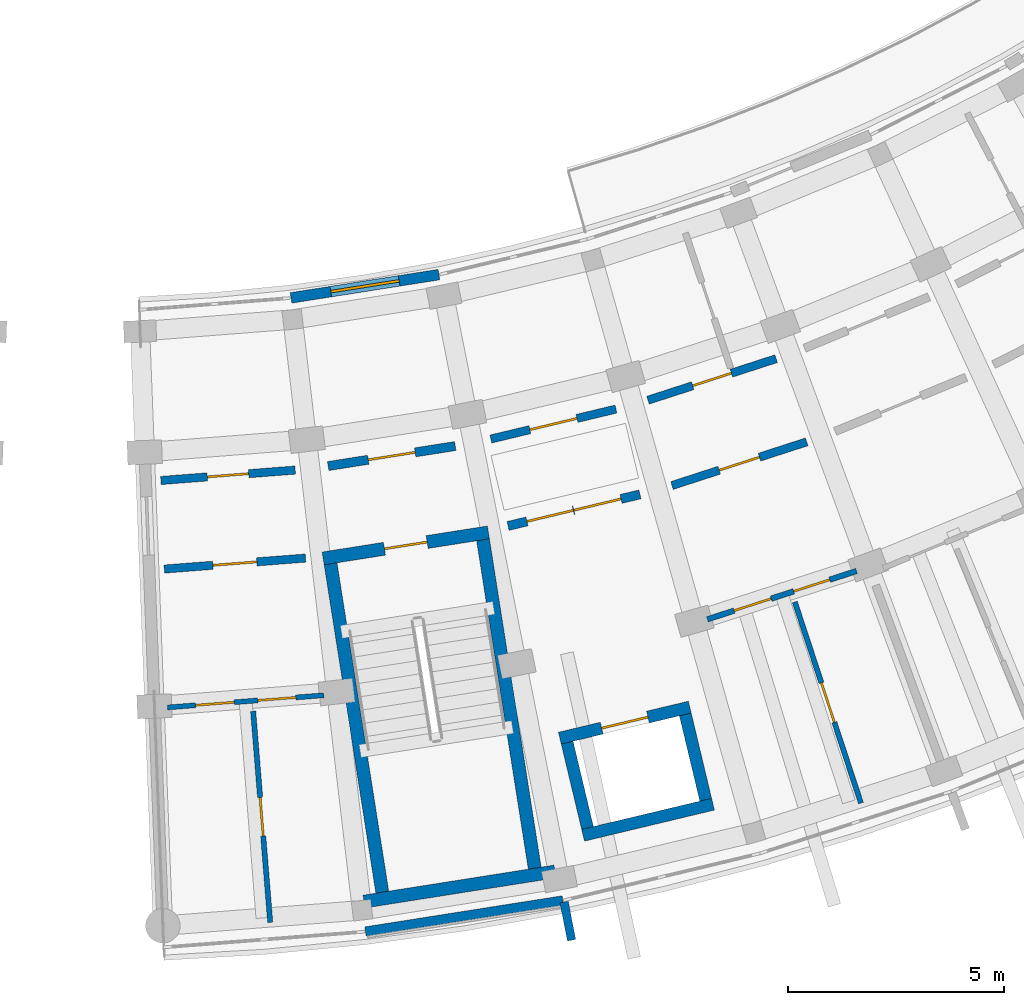
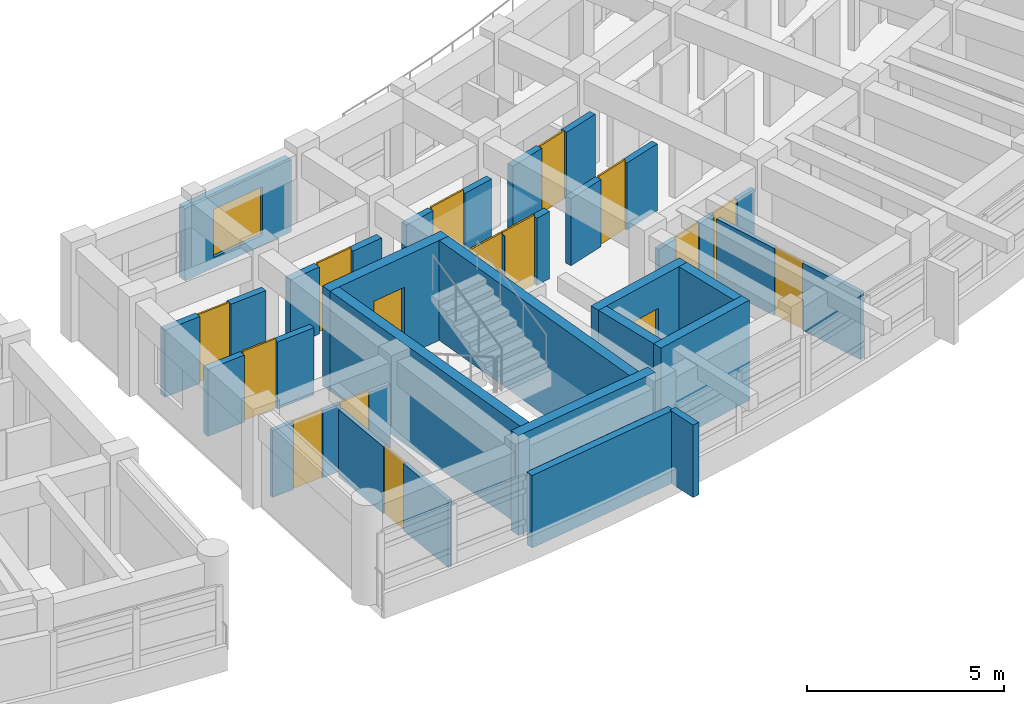
# One storey, part 37 of 56: 22 walls, 16 doors, 1 window, 17 openings.
"""IFC4 building model written with IfcOpenShell, lengths in metres."""

import ifcopenshell
import ifcopenshell.guid

model = None  # the IFC model being written
_history = None  # IfcOwnerHistory: only IFC2X3 demands one
_inside = {}  # id of a spatial element -> (the spatial element, [elements in it])
_under = {}  # id of a project, library or spatial element -> (it, [spatial elements below it])
_declared = {}  # id of a project -> (the project, [libraries it declares])
_typed = {}  # id of a type object -> (the type object, [elements of that type])
_made_of = {}  # id of a material, layer set ... -> (it, [elements and type objects made of it])


def new_model(schema):
    """Start an empty IFC model of exactly this schema.

    Asked for "IFC4X3", IfcOpenShell would pick the latest addendum, in which some entities
    have other attributes; the version numbers below select the first issue.
    IFC2X3 requires an IfcOwnerHistory on every rooted entity: one is made here for all.
    """
    global model, _history
    if schema == "IFC4X3":
        model = ifcopenshell.file(schema_version=(4, 3, 0, 0))
    else:
        model = ifcopenshell.file(schema=schema)
    _inside.clear()
    _under.clear()
    _declared.clear()
    _typed.clear()
    _made_of.clear()
    _history = None
    if model.schema == "IFC2X3":
        org = make("IfcOrganization", Name="unknown")
        user = make(
            "IfcPersonAndOrganization",
            ThePerson=make("IfcPerson", FamilyName="unknown"),
            TheOrganization=org,
        )
        app = make(
            "IfcApplication",
            ApplicationDeveloper=org,
            Version="unknown",
            ApplicationFullName="unknown",
            ApplicationIdentifier="unknown",
        )
        _history = make(
            "IfcOwnerHistory",
            OwningUser=user,
            OwningApplication=app,
            ChangeAction="ADDED",
            CreationDate=0,
        )
    return model


def make(cls, **values):
    """One entity of the class cls with the attributes given. An attribute that is None is left unset."""
    return model.create_entity(
        cls, **{name: value for name, value in values.items() if value is not None}
    )


def rooted(cls, **values):
    """An entity with a GlobalId (a new one), such as an element, a storey or a relation."""
    return make(cls, GlobalId=ifcopenshell.guid.new(), OwnerHistory=_history, **values)


def si_unit(unit_type, name, prefix=None):
    """IfcSIUnit, for example si_unit("LENGTHUNIT", "METRE", prefix="MILLI")."""
    return make("IfcSIUnit", UnitType=unit_type, Prefix=prefix, Name=name)


def assignment(units):
    """IfcUnitAssignment: the units of a project."""
    return None if units is None else make("IfcUnitAssignment", Units=units)


def point(xyz):
    """IfcCartesianPoint."""
    return None if xyz is None else make("IfcCartesianPoint", Coordinates=xyz)


def direction(xyz):
    """IfcDirection."""
    return None if xyz is None else make("IfcDirection", DirectionRatios=xyz)


def frame(location, z_axis=None, x_axis=None):
    """IfcAxis2Placement3D, a coordinate frame: its origin and axes. An axis left out is left unset."""
    return make(
        "IfcAxis2Placement3D",
        Location=point(location),
        Axis=direction(z_axis),
        RefDirection=direction(x_axis),
    )


def frame_2d(location, x_axis=None):
    """IfcAxis2Placement2D, a coordinate frame in the plane: its origin and x axis."""
    return make(
        "IfcAxis2Placement2D", Location=point(location), RefDirection=direction(x_axis)
    )


def origin():
    """The frame at (0, 0, 0) with its axes left unset."""
    return frame((0.0, 0.0, 0.0))


def place(relative_to, where):
    """IfcLocalPlacement: puts the frame where relative to a parent placement (None: the world)."""
    return make(
        "IfcLocalPlacement", PlacementRelTo=relative_to, RelativePlacement=where
    )


def context(
    kind, dimensions, precision=None, world=None, true_north=None, identifier=None
):
    """IfcGeometricRepresentationContext, for example the 3D "Model" context."""
    return make(
        "IfcGeometricRepresentationContext",
        ContextIdentifier=identifier,
        ContextType=kind,
        CoordinateSpaceDimension=dimensions,
        Precision=precision,
        WorldCoordinateSystem=world,
        TrueNorth=true_north,
    )


def subcontext(parent, identifier, kind, view, scale=None):
    """IfcGeometricRepresentationSubContext, for example "Body" below "Model"."""
    return make(
        "IfcGeometricRepresentationSubContext",
        ContextIdentifier=identifier,
        ContextType=kind,
        ParentContext=parent,
        TargetScale=scale,
        TargetView=view,
    )


def project(units=None, contexts=None):
    """IfcProject with its units and contexts."""
    return rooted(
        "IfcProject",
        Name="project",
        RepresentationContexts=contexts,
        UnitsInContext=assignment(units),
    )


def spatial(cls, under=None, at=None, **own):
    """A site, building, storey or space (cls), placed at a placement, below another one or the project."""
    s = rooted(cls, ObjectPlacement=at, **own)
    if under is not None:
        _under.setdefault(under.id(), (under, []))[1].append(s)
    return s


def profile(cls, at=None, kind="AREA", **sizes):
    """A parametric profile (cls). Its sizes go by their IFC names, for example OverallWidth=200.0."""
    return make(cls, ProfileType=kind, Position=at, **sizes)


def rectangle(**sizes):
    """IfcRectangleProfileDef."""
    return profile("IfcRectangleProfileDef", **sizes)


def extrude(swept, where, along, depth):
    """IfcExtrudedAreaSolid: the profile swept, set in the frame where, extruded along a direction by depth."""
    return make(
        "IfcExtrudedAreaSolid",
        SweptArea=swept,
        Position=where,
        ExtrudedDirection=direction(along),
        Depth=depth,
    )


def shape(context_of_items, identifier, shape_type, items):
    """IfcShapeRepresentation: the items that make up one representation, for example the "Body"."""
    return make(
        "IfcShapeRepresentation",
        ContextOfItems=context_of_items,
        RepresentationIdentifier=identifier,
        RepresentationType=shape_type,
        Items=items,
    )


def material(Name=None, Category=None):
    """IfcMaterial."""
    return make("IfcMaterial", Name=Name, Category=Category)


def layer(
    of_material, thickness, ventilated=None, Name=None, Category=None, Priority=None
):
    """IfcMaterialLayer: one layer of a wall or slab, of a material (None: an air gap)."""
    return make(
        "IfcMaterialLayer",
        Material=of_material,
        LayerThickness=thickness,
        IsVentilated=ventilated,
        Name=Name,
        Category=Category,
        Priority=Priority,
    )


def layer_set(layers, Name=None):
    """IfcMaterialLayerSet."""
    return make("IfcMaterialLayerSet", MaterialLayers=layers, LayerSetName=Name)


def made_of(thing, what):
    """Note that an element or type object is made of a material, layer set ...; save() writes the relation."""
    if what is not None:
        _made_of.setdefault(what.id(), (what, []))[1].append(thing)
    return thing


def type_object(cls, material=None, **own):
    """A type object (cls), such as IfcWallType, which elements share."""
    return made_of(rooted(cls, **own), material)


def element(
    cls,
    number,
    at=None,
    inside=None,
    cuts=None,
    type_object=None,
    material=None,
    context=None,
    identifier="Body",
    shape_type=None,
    held_by="IfcProductDefinitionShape",
    body=None,
    shapes=None,
    **own,
):
    """One element of the class cls, such as IfcWall. Its Tag is "e" and its number.

    at: its placement. inside: the storey or other place that contains it. cuts: it is an
    opening in that element (IfcRelVoidsElement). A single representation is given by context,
    identifier, shape_type and body (its items); several are given by shapes. held_by: the class
    of the entity that holds the representations. save() writes the other relations.
    """
    e = rooted(cls, Tag="e%d" % number, ObjectPlacement=at, **own)
    if body is not None:
        shapes = [shape(context, identifier, shape_type, body)]
    if shapes is not None:
        e.Representation = make(held_by, Representations=shapes)
    if inside is not None:
        _inside.setdefault(inside.id(), (inside, []))[1].append(e)
    if cuts is not None:
        rooted(
            "IfcRelVoidsElement", RelatingBuildingElement=cuts, RelatedOpeningElement=e
        )
    if type_object is not None:
        _typed.setdefault(type_object.id(), (type_object, []))[1].append(e)
    return made_of(e, material)


def fill(opening, filler):
    """IfcRelFillsElement: the door or window that sits in an opening."""
    return rooted(
        "IfcRelFillsElement",
        RelatingOpeningElement=opening,
        RelatedBuildingElement=filler,
    )


def aggregate(whole, parts):
    """IfcRelAggregates: a whole, such as a stair, and the parts it consists of."""
    return rooted("IfcRelAggregates", RelatingObject=whole, RelatedObjects=parts)


def save(model, path):
    """Write the relations noted so far, then the file.

    IfcRelAggregates (storeys below a building ...), IfcRelContainedInSpatialStructure (elements
    in a storey), IfcRelDefinesByType, IfcRelAssociatesMaterial and IfcRelDeclares: one each for
    every whole, place, type object, material and project.
    """
    for whole, parts in _under.values():
        aggregate(whole, parts)
    for where, things in _inside.values():
        rooted(
            "IfcRelContainedInSpatialStructure",
            RelatedElements=things,
            RelatingStructure=where,
        )
    for kind, things in _typed.values():
        rooted("IfcRelDefinesByType", RelatedObjects=things, RelatingType=kind)
    for what, things in _made_of.values():
        rooted("IfcRelAssociatesMaterial", RelatedObjects=things, RelatingMaterial=what)
    for by, libraries in _declared.values():
        rooted("IfcRelDeclares", RelatingContext=by, RelatedDefinitions=libraries)
    model.write(path)


model = new_model("IFC4")

# Units and contexts
model_context = context("Model", 3, precision=1e-05, world=origin(), true_north=direction((0.0, 1.0)))
body_context = subcontext(model_context, "Body", "Model", "MODEL_VIEW")
ifc_project = project(units=[si_unit("LENGTHUNIT", "METRE"), si_unit("AREAUNIT", "SQUARE_METRE"), si_unit("VOLUMEUNIT", "CUBIC_METRE"), si_unit("PLANEANGLEUNIT", "RADIAN"), si_unit("MASSUNIT", "GRAM", prefix="KILO")], contexts=[model_context])

# Site, building, storey
site_placement = place(None, origin())
site = spatial("IfcSite", under=ifc_project, at=site_placement, CompositionType="ELEMENT")
building_placement = place(site_placement, origin())
building = spatial("IfcBuilding", under=site, at=building_placement, Name="Zimvara Arc Housing Community", CompositionType="ELEMENT")
storey_placement = place(building_placement, frame((0.0, 0.0, 11.199951171875)))
storey = spatial("IfcBuildingStorey", under=building, at=storey_placement, Name="L03", CompositionType="ELEMENT", Elevation=11.199951171875)

# Wall
ifc_material_1 = material(Name="Board-Marked Fair-Faced Concrete C35/45", Category="concrete")
ifc_layer_1 = layer(ifc_material_1, 0.195068359375)
ifc_layer_set_1 = layer_set([ifc_layer_1], Name="Board-Marked Fair-Faced Concrete C35/45")
wall_type_1 = type_object("IfcWallType", Name="EWL-PARA-195", PredefinedType="PARAPET", material=ifc_layer_set_1)
wall_1_placement = place(storey_placement, frame((137.521484375, 51.571533203125, 0.0), z_axis=(0.0, 0.0, 1.0), x_axis=(0.194237671596, -0.980954497891, 0.0)))
element("IfcWall", 1, at=wall_1_placement, inside=storey, type_object=wall_type_1, Name="finwall:blkD:L03:out:b2", PredefinedType="PARAPET", context=body_context, shape_type="SweptSolid", body=[
    extrude(rectangle(XDim=0.89990234375, YDim=0.195068359375, at=frame_2d((0.449951171875, 0.0))), origin(), (0.0, 0.0, 1.0), 2.25),
])

# Wall, opening, window
ifc_material_2 = material(Name="Pigmented Fair-Faced Concrete C35/45", Category="concrete")
ifc_layer_2 = layer(ifc_material_2, 0.2451171875)
ifc_layer_set_2 = layer_set([ifc_layer_2], Name="Pigmented Fair-Faced Concrete C35/45")
wall_type_2 = type_object("IfcWallType", Name="EWL-PIGM-245", PredefinedType="SOLIDWALL", material=ifc_layer_set_2)
wall_2_placement = place(storey_placement, frame((131.20556640625, 65.5478515625, 0.0), z_axis=(0.0, 0.0, 1.0), x_axis=(0.987825183084, 0.155568016203, 0.0)))
wall_2 = element("IfcWall", 2, at=wall_2_placement, inside=storey, type_object=wall_type_2, Name="ewall:blkD:L03:in:b1", PredefinedType="SOLIDWALL", context=body_context, shape_type="SweptSolid", body=[
    extrude(rectangle(XDim=3.463623046875, YDim=0.2451171875, at=frame_2d((1.73193359375, 0.0))), origin(), (0.0, 0.0, 1.0), 2.25),
])
opening_1_placement = place(wall_2_placement, frame((0.931884765625, 0.0, 0.320068359375)))
opening_1 = element("IfcOpeningElement", 3, at=opening_1_placement, cuts=wall_2, Name="Opening W03", PredefinedType="OPENING", context=body_context, shape_type="SweptSolid", body=[
    extrude(rectangle(XDim=1.60009765625, YDim=1.5, at=frame_2d((0.800048828125, 0.75))), frame((0.0, 0.132568359375, 0.0), z_axis=(0.0, -1.0, 0.0), x_axis=(1.0, 0.0, 0.0)), (0.0, 0.0, 1.0), 0.26513671875),
])
ifc_material_3 = material(Name="Solar Control Low-E Double Glazing", Category="glass")
window_type = type_object("IfcWindowType", Name="WIN-RES-1600x1500", PartitioningType="DOUBLE_PANEL_VERTICAL", PredefinedType="WINDOW", material=ifc_material_3)
window_placement = place(opening_1_placement, origin())
window = element("IfcWindow", 4, at=window_placement, inside=storey, type_object=window_type, Name="win:blkD:L03:in:b1", OverallHeight=1.5, OverallWidth=1.60009765625, PartitioningType="DOUBLE_PANEL_VERTICAL", PredefinedType="WINDOW", context=body_context, shape_type="SweptSolid", body=[
    extrude(rectangle(XDim=1.60009765625, YDim=1.5, at=frame_2d((0.800048828125, 0.75))), frame((0.0, 0.030029296875, 0.0), z_axis=(0.0, -1.0, 0.0), x_axis=(1.0, 0.0, 0.0)), (0.0, 0.0, 1.0), 0.06005859375),
])
fill(opening_1, window)

# Wall
ifc_material_4 = material(Name="Board-Marked Fair-Faced Concrete C35/45", Category="concrete")
ifc_layer_3 = layer(ifc_material_4, 0.218017578125)
ifc_layer_set_3 = layer_set([ifc_layer_3], Name="Board-Marked Fair-Faced Concrete C35/45")
wall_type_3 = type_object("IfcWallType", Name="EWL-VAR-12", PredefinedType="SOLIDWALL", material=ifc_layer_set_3)
wall_3_placement = place(storey_placement, frame((132.927734375, 50.888671875, 0.0), z_axis=(0.0, 0.0, 1.0), x_axis=(0.987828826394, 0.155544880165, 0.0)))
element("IfcWall", 5, at=wall_3_placement, inside=storey, type_object=wall_type_3, Name="ewall:blkD:L03:out:b1", PredefinedType="SOLIDWALL", context=body_context, shape_type="SweptSolid", body=[
    extrude(rectangle(XDim=4.622314453125, YDim=0.218017578125, at=frame_2d((2.31103515625, 0.0))), origin(), (0.0, 0.0, 1.0), 2.25),
])

# Wall, opening, door
ifc_material_5 = material(Name="Concrete C35/45", Category="concrete")
ifc_layer_4 = layer(ifc_material_5, 0.2099609375)
ifc_layer_set_4 = layer_set([ifc_layer_4], Name="Concrete C35/45")
wall_type_4 = type_object("IfcWallType", Name="IWL-CCF-210", PredefinedType="SOLIDWALL", material=ifc_layer_set_4)
wall_4_placement = place(storey_placement, frame((132.065185546875, 61.6572265625, 0.0), z_axis=(0.0, 0.0, 1.0), x_axis=(0.987816121487, 0.155625544594, 0.0)))
wall_4 = element("IfcWall", 6, at=wall_4_placement, inside=storey, type_object=wall_type_4, Name="iwall:blkD:L03:ccf_div:b1", PredefinedType="SOLIDWALL", context=body_context, shape_type="SweptSolid", body=[
    extrude(rectangle(XDim=2.97607421875, YDim=0.2099609375, at=frame_2d((1.488037109375, 0.0))), origin(), (0.0, 0.0, 1.0), 2.080078125),
])
opening_2_placement = place(wall_4_placement, frame((0.93798828125, 0.0, 0.0)))
opening_2 = element("IfcOpeningElement", 7, at=opening_2_placement, cuts=wall_4, Name="Opening FD-CCF1", PredefinedType="OPENING", context=body_context, shape_type="SweptSolid", body=[
    extrude(rectangle(XDim=1.10009765625, YDim=2.14990234375, at=frame_2d((0.550048828125, 1.074951171875))), frame((0.0, 0.114990234375, 0.0), z_axis=(0.0, -1.0, 0.0), x_axis=(1.0, 0.0, 0.0)), (0.0, 0.0, 1.0), 0.22998046875),
])
ifc_material_6 = material(Name="Anodised Aluminium AW-6063", Category="aluminium")
door_type_1 = type_object("IfcDoorType", Name="IDR-CCF-1100x2150", OperationType="NOTDEFINED", PredefinedType="DOOR", material=ifc_material_6)
door_1_placement = place(opening_2_placement, origin())
door_1 = element("IfcDoor", 8, at=door_1_placement, inside=storey, type_object=door_type_1, Name="idoor:blkD:L03:ccf_in:b1", OperationType="SINGLE_SWING_LEFT", OverallHeight=2.14990234375, OverallWidth=1.10009765625, PredefinedType="DOOR", context=body_context, shape_type="SweptSolid", body=[
    extrude(rectangle(XDim=1.10009765625, YDim=2.14990234375, at=frame_2d((0.550048828125, 1.074951171875))), frame((0.0, 0.02490234375, 0.0), z_axis=(0.0, -1.0, 0.0), x_axis=(1.0, 0.0, 0.0)), (0.0, 0.0, 1.0), 0.050048828125),
])
fill(opening_2, door_1)

# Wall, openings, doors
wall_5_placement = place(storey_placement, frame((136.2265625, 60.272216796875, 0.0), z_axis=(0.0, 0.0, 1.0), x_axis=(0.972564346632, 0.232634029456, 0.0)))
wall_5 = element("IfcWall", 9, at=wall_5_placement, inside=storey, type_object=wall_type_4, Name="iwall:blkD:L03:ll_div:b2", PredefinedType="SOLIDWALL", context=body_context, shape_type="SweptSolid", body=[
    extrude(rectangle(XDim=3.136962890625, YDim=0.2099609375, at=frame_2d((1.568359375, 0.0))), origin(), (0.0, 0.0, 1.0), 2.080078125),
])
opening_3_placement = place(wall_5_placement, frame((0.449951171875, 0.0, 0.0)))
opening_3 = element("IfcOpeningElement", 10, at=opening_3_placement, cuts=wall_5, Name="Opening FD-CCF1", PredefinedType="OPENING", context=body_context, shape_type="SweptSolid", body=[
    extrude(rectangle(XDim=1.10009765625, YDim=2.14990234375, at=frame_2d((0.550048828125, 1.074951171875))), frame((0.0, 0.114990234375, 0.0), z_axis=(0.0, -1.0, 0.0), x_axis=(1.0, 0.0, 0.0)), (0.0, 0.0, 1.0), 0.22998046875),
])
opening_4_placement = place(wall_5_placement, frame((1.56689453125, 0.0, 0.0)))
opening_4 = element("IfcOpeningElement", 11, at=opening_4_placement, cuts=wall_5, Name="Opening D07", PredefinedType="OPENING", context=body_context, shape_type="SweptSolid", body=[
    extrude(rectangle(XDim=1.1201171875, YDim=2.14990234375, at=frame_2d((0.56005859375, 1.074951171875))), frame((0.0, 0.114990234375, 0.0), z_axis=(0.0, -1.0, 0.0), x_axis=(1.0, 0.0, 0.0)), (0.0, 0.0, 1.0), 0.22998046875),
])
ifc_material_7 = material(Name="Mozambican Hardwood", Category="wood")
door_type_2 = type_object("IfcDoorType", Name="IDR-AMN-1120x2150", OperationType="NOTDEFINED", PredefinedType="DOOR", material=ifc_material_7)
door_2_placement = place(opening_4_placement, origin())
door_2 = element("IfcDoor", 12, at=door_2_placement, inside=storey, type_object=door_type_2, Name="idoor:blkD:L03:rs_in:b2", OperationType="SINGLE_SWING_LEFT", OverallHeight=2.14990234375, OverallWidth=1.1201171875, PredefinedType="DOOR", context=body_context, shape_type="SweptSolid", body=[
    extrude(rectangle(XDim=1.1201171875, YDim=2.14990234375, at=frame_2d((0.56005859375, 1.074951171875))), frame((0.0, 0.02490234375, 0.0), z_axis=(0.0, -1.0, 0.0), x_axis=(1.0, 0.0, 0.0)), (0.0, 0.0, 1.0), 0.050048828125),
])
fill(opening_4, door_2)
door_3_placement = place(opening_3_placement, origin())
door_3 = element("IfcDoor", 13, at=door_3_placement, inside=storey, type_object=door_type_1, Name="idoor:blkD:L03:ll_in:b2", OperationType="SINGLE_SWING_RIGHT", OverallHeight=2.14990234375, OverallWidth=1.10009765625, PredefinedType="DOOR", context=body_context, shape_type="SweptSolid", body=[
    extrude(rectangle(XDim=1.10009765625, YDim=2.14990234375, at=frame_2d((0.550048828125, 1.074951171875))), frame((0.0, 0.02490234375, 0.0), z_axis=(0.0, -1.0, 0.0), x_axis=(1.0, 0.0, 0.0)), (0.0, 0.0, 1.0), 0.050048828125),
])
fill(opening_3, door_3)

# Wall, opening, door
ifc_material_8 = material(Name="Concrete C35/45", Category="concrete")
ifc_layer_5 = layer(ifc_material_8, 0.18994140625)
ifc_layer_set_5 = layer_set([ifc_layer_5], Name="Concrete C35/45")
wall_type_5 = type_object("IfcWallType", Name="IWL-CORR-190", PredefinedType="SOLIDWALL", material=ifc_layer_set_5)
wall_6_placement = place(storey_placement, frame((128.273193359375, 59.2744140625, 0.0), z_axis=(0.0, 0.0, 1.0), x_axis=(0.996982624396, 0.077625038827, 0.0)))
wall_6 = element("IfcWall", 14, at=wall_6_placement, inside=storey, type_object=wall_type_5, Name="iwall:blkD:L03:corr_out:b0", PredefinedType="SOLIDWALL", context=body_context, shape_type="SweptSolid", body=[
    extrude(rectangle(XDim=3.27734375, YDim=0.18994140625, at=frame_2d((1.638671875, 0.0))), origin(), (0.0, 0.0, 1.0), 2.080078125),
])
opening_5_placement = place(wall_6_placement, frame((1.12841796875, 0.0, 0.0)))
opening_5 = element("IfcOpeningElement", 15, at=opening_5_placement, cuts=wall_6, Name="Opening FD-FL2", PredefinedType="OPENING", context=body_context, shape_type="SweptSolid", body=[
    extrude(rectangle(XDim=1.02001953125, YDim=2.14990234375, at=frame_2d((0.510009765625, 1.074951171875))), frame((0.0, 0.10498046875, 0.0), z_axis=(0.0, -1.0, 0.0), x_axis=(1.0, 0.0, 0.0)), (0.0, 0.0, 1.0), 0.2099609375),
])
ifc_material_9 = material(Name="Mozambican Hardwood", Category="wood")
door_type_3 = type_object("IfcDoorType", Name="IDR-FLAT-1020x2150", OperationType="NOTDEFINED", PredefinedType="DOOR", material=ifc_material_9)
door_4_placement = place(opening_5_placement, origin())
door_4 = element("IfcDoor", 16, at=door_4_placement, inside=storey, type_object=door_type_3, Name="idoor:blkD:L03:flat:b0", OperationType="SINGLE_SWING_RIGHT", OverallHeight=2.14990234375, OverallWidth=1.02001953125, PredefinedType="DOOR", context=body_context, shape_type="SweptSolid", body=[
    extrude(rectangle(XDim=1.02001953125, YDim=2.14990234375, at=frame_2d((0.510009765625, 1.074951171875))), frame((0.0, 0.02490234375, 0.0), z_axis=(0.0, -1.0, 0.0), x_axis=(1.0, 0.0, 0.0)), (0.0, 0.0, 1.0), 0.050048828125),
])
fill(opening_5, door_4)

wall_7_placement = place(storey_placement, frame((128.194580078125, 61.322998046875, 0.0), z_axis=(0.0, 0.0, 1.0), x_axis=(0.996987280187, 0.077565218655, 0.0)))
wall_7 = element("IfcWall", 17, at=wall_7_placement, inside=storey, type_object=wall_type_5, Name="iwall:blkD:L03:corr_in:b0", PredefinedType="SOLIDWALL", context=body_context, shape_type="SweptSolid", body=[
    extrude(rectangle(XDim=3.115966796875, YDim=0.18994140625, at=frame_2d((1.55810546875, 0.0))), origin(), (0.0, 0.0, 1.0), 2.080078125),
])
opening_6_placement = place(wall_7_placement, frame((1.077880859375, 0.0, 0.0)))
opening_6 = element("IfcOpeningElement", 18, at=opening_6_placement, cuts=wall_7, Name="Opening D04", PredefinedType="OPENING", context=body_context, shape_type="SweptSolid", body=[
    extrude(rectangle(XDim=0.9599609375, YDim=2.10009765625, at=frame_2d((0.47998046875, 1.050048828125))), frame((0.0, 0.10498046875, 0.0), z_axis=(0.0, -1.0, 0.0), x_axis=(1.0, 0.0, 0.0)), (0.0, 0.0, 1.0), 0.2099609375),
])
ifc_material_10 = material(Name="Mozambican Hardwood", Category="wood")
door_type_4 = type_object("IfcDoorType", Name="IDR-RM-0960x2100", OperationType="NOTDEFINED", PredefinedType="DOOR", material=ifc_material_10)
door_5_placement = place(opening_6_placement, origin())
door_5 = element("IfcDoor", 19, at=door_5_placement, inside=storey, type_object=door_type_4, Name="idoor:blkD:L03:in_rm:b0", OperationType="SINGLE_SWING_LEFT", OverallHeight=2.10009765625, OverallWidth=0.9599609375, PredefinedType="DOOR", context=body_context, shape_type="SweptSolid", body=[
    extrude(rectangle(XDim=0.9599609375, YDim=2.10009765625, at=frame_2d((0.47998046875, 1.050048828125))), frame((0.0, 0.02490234375, 0.0), z_axis=(0.0, -1.0, 0.0), x_axis=(1.0, 0.0, 0.0)), (0.0, 0.0, 1.0), 0.050048828125),
])
fill(opening_6, door_5)

wall_8_placement = place(storey_placement, frame((135.828369140625, 62.283203125, 0.0), z_axis=(0.0, 0.0, 1.0), x_axis=(0.972558314217, 0.232659247501, 0.0)))
wall_8 = element("IfcWall", 20, at=wall_8_placement, inside=storey, type_object=wall_type_5, Name="iwall:blkD:L03:ra_div:b2", PredefinedType="SOLIDWALL", context=body_context, shape_type="SweptSolid", body=[
    extrude(rectangle(XDim=2.97607421875, YDim=0.18994140625, at=frame_2d((1.488037109375, 0.0))), origin(), (0.0, 0.0, 1.0), 2.080078125),
])
opening_7_placement = place(wall_8_placement, frame((0.927978515625, 0.0, 0.0)))
opening_7 = element("IfcOpeningElement", 21, at=opening_7_placement, cuts=wall_8, Name="Opening D07", PredefinedType="OPENING", context=body_context, shape_type="SweptSolid", body=[
    extrude(rectangle(XDim=1.1201171875, YDim=2.14990234375, at=frame_2d((0.56005859375, 1.074951171875))), frame((0.0, 0.10498046875, 0.0), z_axis=(0.0, -1.0, 0.0), x_axis=(1.0, 0.0, 0.0)), (0.0, 0.0, 1.0), 0.2099609375),
])
door_6_placement = place(opening_7_placement, origin())
door_6 = element("IfcDoor", 22, at=door_6_placement, inside=storey, type_object=door_type_2, Name="idoor:blkD:L03:ra_d:b2", OperationType="SINGLE_SWING_RIGHT", OverallHeight=2.14990234375, OverallWidth=1.1201171875, PredefinedType="DOOR", context=body_context, shape_type="SweptSolid", body=[
    extrude(rectangle(XDim=1.1201171875, YDim=2.14990234375, at=frame_2d((0.56005859375, 1.074951171875))), frame((0.0, 0.02490234375, 0.0), z_axis=(0.0, -1.0, 0.0), x_axis=(1.0, 0.0, 0.0)), (0.0, 0.0, 1.0), 0.050048828125),
])
fill(opening_7, door_6)

wall_9_placement = place(storey_placement, frame((140.018798828125, 61.20751953125, 0.0), z_axis=(0.0, 0.0, 1.0), x_axis=(0.951323803878, 0.308193154005, 0.0)))
wall_9 = element("IfcWall", 23, at=wall_9_placement, inside=storey, type_object=wall_type_5, Name="iwall:blkD:L03:corr_out:b3", PredefinedType="SOLIDWALL", context=body_context, shape_type="SweptSolid", body=[
    extrude(rectangle(XDim=3.277099609375, YDim=0.18994140625, at=frame_2d((1.638671875, 0.0))), origin(), (0.0, 0.0, 1.0), 2.080078125),
])
opening_8_placement = place(wall_9_placement, frame((1.1484375, 0.0, 0.0)))
opening_8 = element("IfcOpeningElement", 24, at=opening_8_placement, cuts=wall_9, Name="Opening FD-FL1", PredefinedType="OPENING", context=body_context, shape_type="SweptSolid", body=[
    extrude(rectangle(XDim=0.97998046875, YDim=2.14990234375, at=frame_2d((0.489990234375, 1.074951171875))), frame((0.0, 0.10498046875, 0.0), z_axis=(0.0, -1.0, 0.0), x_axis=(1.0, 0.0, 0.0)), (0.0, 0.0, 1.0), 0.2099609375),
])
ifc_material_11 = material(Name="Mozambican Hardwood", Category="wood")
door_type_5 = type_object("IfcDoorType", Name="IDR-FLAT-0980x2150", OperationType="NOTDEFINED", PredefinedType="DOOR", material=ifc_material_11)
door_7_placement = place(opening_8_placement, origin())
door_7 = element("IfcDoor", 25, at=door_7_placement, inside=storey, type_object=door_type_5, Name="idoor:blkD:L03:flat:b3", OperationType="SINGLE_SWING_LEFT", OverallHeight=2.14990234375, OverallWidth=0.97998046875, PredefinedType="DOOR", context=body_context, shape_type="SweptSolid", body=[
    extrude(rectangle(XDim=0.97998046875, YDim=2.14990234375, at=frame_2d((0.489990234375, 1.074951171875))), frame((0.0, 0.02490234375, 0.0), z_axis=(0.0, -1.0, 0.0), x_axis=(1.0, 0.0, 0.0)), (0.0, 0.0, 1.0), 0.050048828125),
])
fill(opening_8, door_7)

wall_10_placement = place(storey_placement, frame((139.464111328125, 63.18115234375, 0.0), z_axis=(0.0, 0.0, 1.0), x_axis=(0.951336474448, 0.308154040027, 0.0)))
wall_10 = element("IfcWall", 26, at=wall_10_placement, inside=storey, type_object=wall_type_5, Name="iwall:blkD:L03:corr_in:b3", PredefinedType="SOLIDWALL", context=body_context, shape_type="SweptSolid", body=[
    extrude(rectangle(XDim=3.115966796875, YDim=0.18994140625, at=frame_2d((1.55810546875, 0.0))), origin(), (0.0, 0.0, 1.0), 2.080078125),
])
opening_9_placement = place(wall_10_placement, frame((1.087890625, 0.0, 0.0)))
opening_9 = element("IfcOpeningElement", 27, at=opening_9_placement, cuts=wall_10, Name="Opening D03", PredefinedType="OPENING", context=body_context, shape_type="SweptSolid", body=[
    extrude(rectangle(XDim=0.93994140625, YDim=2.10009765625, at=frame_2d((0.469970703125, 1.050048828125))), frame((0.0, 0.10498046875, 0.0), z_axis=(0.0, -1.0, 0.0), x_axis=(1.0, 0.0, 0.0)), (0.0, 0.0, 1.0), 0.2099609375),
])
ifc_material_12 = material(Name="Mozambican Hardwood", Category="wood")
door_type_6 = type_object("IfcDoorType", Name="IDR-RM-0940x2100", OperationType="NOTDEFINED", PredefinedType="DOOR", material=ifc_material_12)
door_8_placement = place(opening_9_placement, origin())
door_8 = element("IfcDoor", 28, at=door_8_placement, inside=storey, type_object=door_type_6, Name="idoor:blkD:L03:in_rm:b3", OperationType="SINGLE_SWING_RIGHT", OverallHeight=2.10009765625, OverallWidth=0.93994140625, PredefinedType="DOOR", context=body_context, shape_type="SweptSolid", body=[
    extrude(rectangle(XDim=0.93994140625, YDim=2.10009765625, at=frame_2d((0.469970703125, 1.050048828125))), frame((0.0, 0.02490234375, 0.0), z_axis=(0.0, -1.0, 0.0), x_axis=(1.0, 0.0, 0.0)), (0.0, 0.0, 1.0), 0.050048828125),
])
fill(opening_9, door_8)

# Wall, openings, doors
ifc_material_13 = material(Name="Painted Acoustic Plasterboard")
ifc_layer_6 = layer(ifc_material_13, 0.114990234375)
ifc_layer_set_6 = layer_set([ifc_layer_6], Name="Painted Acoustic Plasterboard")
wall_type_6 = type_object("IfcWallType", Name="IWL-PART-115", PredefinedType="PARTITIONING", material=ifc_layer_set_6)
wall_11_placement = place(storey_placement, frame((128.34619140625, 56.072998046875, 0.0), z_axis=(0.0, 0.0, 1.0), x_axis=(0.996986014478, 0.077581485773, 0.0)))
wall_11 = element("IfcWall", 29, at=wall_11_placement, inside=storey, type_object=wall_type_6, Name="iwall:blkD:L03:srv:b0", PredefinedType="PARTITIONING", context=body_context, shape_type="SweptSolid", body=[
    extrude(rectangle(XDim=3.62841796875, YDim=0.114990234375, at=frame_2d((1.814208984375, 0.0))), origin(), (0.0, 0.0, 1.0), 2.080078125),
])
opening_10_placement = place(wall_11_placement, frame((0.64990234375, 0.0, 0.0)))
opening_10 = element("IfcOpeningElement", 30, at=opening_10_placement, cuts=wall_11, Name="Opening D01", PredefinedType="OPENING", context=body_context, shape_type="SweptSolid", body=[
    extrude(rectangle(XDim=0.89990234375, YDim=2.10009765625, at=frame_2d((0.449951171875, 1.050048828125))), frame((0.0, 0.0673828125, 0.0), z_axis=(0.0, -1.0, 0.0), x_axis=(1.0, 0.0, 0.0)), (0.0, 0.0, 1.0), 0.135009765625),
])
opening_11_placement = place(wall_11_placement, frame((2.098388671875, 0.0, 0.0)))
opening_11 = element("IfcOpeningElement", 31, at=opening_11_placement, cuts=wall_11, Name="Opening D05", PredefinedType="OPENING", context=body_context, shape_type="SweptSolid", body=[
    extrude(rectangle(XDim=0.8798828125, YDim=2.10009765625, at=frame_2d((0.43994140625, 1.050048828125))), frame((0.0, 0.0673828125, 0.0), z_axis=(0.0, -1.0, 0.0), x_axis=(1.0, 0.0, 0.0)), (0.0, 0.0, 1.0), 0.135009765625),
])
ifc_material_14 = material(Name="Mozambican Hardwood", Category="wood")
door_type_7 = type_object("IfcDoorType", Name="IDR-RM-0900x2100", OperationType="NOTDEFINED", PredefinedType="DOOR", material=ifc_material_14)
door_9_placement = place(opening_10_placement, origin())
door_9 = element("IfcDoor", 32, at=door_9_placement, inside=storey, type_object=door_type_7, Name="idoor:blkD:L03:kit_liv:b0", OperationType="SINGLE_SWING_RIGHT", OverallHeight=2.10009765625, OverallWidth=0.89990234375, PredefinedType="DOOR", context=body_context, shape_type="SweptSolid", body=[
    extrude(rectangle(XDim=0.89990234375, YDim=2.10009765625, at=frame_2d((0.449951171875, 1.050048828125))), frame((0.0, 0.02490234375, 0.0), z_axis=(0.0, -1.0, 0.0), x_axis=(1.0, 0.0, 0.0)), (0.0, 0.0, 1.0), 0.050048828125),
])
fill(opening_10, door_9)
ifc_material_15 = material(Name="Mozambican Hardwood", Category="wood")
door_type_8 = type_object("IfcDoorType", Name="IDR-WC-0880x2100", OperationType="NOTDEFINED", PredefinedType="DOOR", material=ifc_material_15)
door_10_placement = place(opening_11_placement, origin())
door_10 = element("IfcDoor", 33, at=door_10_placement, inside=storey, type_object=door_type_8, Name="idoor:blkD:L03:bath_d:b0", OperationType="SINGLE_SWING_LEFT", OverallHeight=2.10009765625, OverallWidth=0.8798828125, PredefinedType="DOOR", context=body_context, shape_type="SweptSolid", body=[
    extrude(rectangle(XDim=0.8798828125, YDim=2.10009765625, at=frame_2d((0.43994140625, 1.050048828125))), frame((0.0, 0.02490234375, 0.0), z_axis=(0.0, -1.0, 0.0), x_axis=(1.0, 0.0, 0.0)), (0.0, 0.0, 1.0), 0.050048828125),
])
fill(opening_11, door_10)

# Wall, opening, door
ifc_material_16 = material(Name="Painted Acoustic Plasterboard")
ifc_layer_7 = layer(ifc_material_16, 0.1201171875)
ifc_layer_set_7 = layer_set([ifc_layer_7], Name="Painted Acoustic Plasterboard")
wall_type_7 = type_object("IfcWallType", Name="IWL-PART-120", PredefinedType="PARTITIONING", material=ifc_layer_set_7)
wall_12_placement = place(storey_placement, frame((130.329345703125, 55.9853515625, 0.0), z_axis=(0.0, 0.0, 1.0), x_axis=(0.080464029972, -0.99675751308, 0.0)))
wall_12 = element("IfcWall", 34, at=wall_12_placement, inside=storey, type_object=wall_type_7, Name="iwall:blkD:L03:bed_div:b0", PredefinedType="PARTITIONING", context=body_context, shape_type="SweptSolid", body=[
    extrude(rectangle(XDim=4.900146484375, YDim=0.1201171875, at=frame_2d((2.4501953125, 0.0))), origin(), (0.0, 0.0, 1.0), 2.080078125),
])
opening_12_placement = place(wall_12_placement, frame((2.0, 0.0, 0.0)))
opening_12 = element("IfcOpeningElement", 35, at=opening_12_placement, cuts=wall_12, Name="Opening D01", PredefinedType="OPENING", context=body_context, shape_type="SweptSolid", body=[
    extrude(rectangle(XDim=0.89990234375, YDim=2.10009765625, at=frame_2d((0.449951171875, 1.050048828125))), frame((0.0, 0.070068359375, 0.0), z_axis=(0.0, -1.0, 0.0), x_axis=(1.0, 0.0, 0.0)), (0.0, 0.0, 1.0), 0.14013671875),
])
door_11_placement = place(opening_12_placement, origin())
door_11 = element("IfcDoor", 36, at=door_11_placement, inside=storey, type_object=door_type_7, Name="idoor:blkD:L03:bed_d:b0", OperationType="SINGLE_SWING_RIGHT", OverallHeight=2.10009765625, OverallWidth=0.89990234375, PredefinedType="DOOR", context=body_context, shape_type="SweptSolid", body=[
    extrude(rectangle(XDim=0.89990234375, YDim=2.10009765625, at=frame_2d((0.449951171875, 1.050048828125))), frame((0.0, 0.02490234375, 0.0), z_axis=(0.0, -1.0, 0.0), x_axis=(1.0, 0.0, 0.0)), (0.0, 0.0, 1.0), 0.050048828125),
])
fill(opening_12, door_11)

wall_13_placement = place(storey_placement, frame((142.8603515625, 58.513427734375, 0.0), z_axis=(0.0, 0.0, 1.0), x_axis=(0.312308755556, -0.949980653068, 0.0)))
wall_13 = element("IfcWall", 37, at=wall_13_placement, inside=storey, type_object=wall_type_7, Name="iwall:blkD:L03:bed_div:b3", PredefinedType="PARTITIONING", context=body_context, shape_type="SweptSolid", body=[
    extrude(rectangle(XDim=4.89990234375, YDim=0.1201171875, at=frame_2d((2.449951171875, 0.0))), origin(), (0.0, 0.0, 1.0), 2.080078125),
])
opening_13_placement = place(wall_13_placement, frame((1.969970703125, 0.0, 0.0)))
opening_13 = element("IfcOpeningElement", 38, at=opening_13_placement, cuts=wall_13, Name="Opening D04", PredefinedType="OPENING", context=body_context, shape_type="SweptSolid", body=[
    extrude(rectangle(XDim=0.9599609375, YDim=2.10009765625, at=frame_2d((0.47998046875, 1.050048828125))), frame((0.0, 0.070068359375, 0.0), z_axis=(0.0, -1.0, 0.0), x_axis=(1.0, 0.0, 0.0)), (0.0, 0.0, 1.0), 0.14013671875),
])
door_12_placement = place(opening_13_placement, origin())
door_12 = element("IfcDoor", 39, at=door_12_placement, inside=storey, type_object=door_type_4, Name="idoor:blkD:L03:bed_d:b3", OperationType="SINGLE_SWING_RIGHT", OverallHeight=2.10009765625, OverallWidth=0.9599609375, PredefinedType="DOOR", context=body_context, shape_type="SweptSolid", body=[
    extrude(rectangle(XDim=0.9599609375, YDim=2.10009765625, at=frame_2d((0.47998046875, 1.050048828125))), frame((0.0, 0.02490234375, 0.0), z_axis=(0.0, -1.0, 0.0), x_axis=(1.0, 0.0, 0.0)), (0.0, 0.0, 1.0), 0.050048828125),
])
fill(opening_13, door_12)

# Wall, openings, doors
ifc_material_17 = material(Name="Painted Acoustic Plasterboard")
ifc_layer_8 = layer(ifc_material_17, 0.1298828125)
ifc_layer_set_8 = layer_set([ifc_layer_8], Name="Painted Acoustic Plasterboard")
wall_type_8 = type_object("IfcWallType", Name="IWL-PART-130", PredefinedType="PARTITIONING", material=ifc_layer_set_8)
wall_14_placement = place(storey_placement, frame((140.837158203125, 58.111572265625, 0.0), z_axis=(0.0, 0.0, 1.0), x_axis=(0.951327366371, 0.308182157164, 0.0)))
wall_14 = element("IfcWall", 40, at=wall_14_placement, inside=storey, type_object=wall_type_8, Name="iwall:blkD:L03:srv:b3", PredefinedType="PARTITIONING", context=body_context, shape_type="SweptSolid", body=[
    extrude(rectangle(XDim=3.628173828125, YDim=0.1298828125, at=frame_2d((1.81396484375, 0.0))), origin(), (0.0, 0.0, 1.0), 2.080078125),
])
opening_14_placement = place(wall_14_placement, frame((0.64990234375, 0.0, 0.0)))
opening_14 = element("IfcOpeningElement", 41, at=opening_14_placement, cuts=wall_14, Name="Opening D01", PredefinedType="OPENING", context=body_context, shape_type="SweptSolid", body=[
    extrude(rectangle(XDim=0.89990234375, YDim=2.10009765625, at=frame_2d((0.449951171875, 1.050048828125))), frame((0.0, 0.074951171875, 0.0), z_axis=(0.0, -1.0, 0.0), x_axis=(1.0, 0.0, 0.0)), (0.0, 0.0, 1.0), 0.14990234375),
])
opening_15_placement = place(wall_14_placement, frame((2.098388671875, 0.0, 0.0)))
opening_15 = element("IfcOpeningElement", 42, at=opening_15_placement, cuts=wall_14, Name="Opening D05", PredefinedType="OPENING", context=body_context, shape_type="SweptSolid", body=[
    extrude(rectangle(XDim=0.8798828125, YDim=2.10009765625, at=frame_2d((0.43994140625, 1.050048828125))), frame((0.0, 0.074951171875, 0.0), z_axis=(0.0, -1.0, 0.0), x_axis=(1.0, 0.0, 0.0)), (0.0, 0.0, 1.0), 0.14990234375),
])
door_13_placement = place(opening_14_placement, origin())
door_13 = element("IfcDoor", 43, at=door_13_placement, inside=storey, type_object=door_type_7, Name="idoor:blkD:L03:kit_liv:b3", OperationType="SINGLE_SWING_RIGHT", OverallHeight=2.10009765625, OverallWidth=0.89990234375, PredefinedType="DOOR", context=body_context, shape_type="SweptSolid", body=[
    extrude(rectangle(XDim=0.89990234375, YDim=2.10009765625, at=frame_2d((0.449951171875, 1.050048828125))), frame((0.0, 0.02490234375, 0.0), z_axis=(0.0, -1.0, 0.0), x_axis=(1.0, 0.0, 0.0)), (0.0, 0.0, 1.0), 0.050048828125),
])
fill(opening_14, door_13)
door_14_placement = place(opening_15_placement, origin())
door_14 = element("IfcDoor", 44, at=door_14_placement, inside=storey, type_object=door_type_8, Name="idoor:blkD:L03:bath_d:b3", OperationType="SINGLE_SWING_LEFT", OverallHeight=2.10009765625, OverallWidth=0.8798828125, PredefinedType="DOOR", context=body_context, shape_type="SweptSolid", body=[
    extrude(rectangle(XDim=0.8798828125, YDim=2.10009765625, at=frame_2d((0.43994140625, 1.050048828125))), frame((0.0, 0.02490234375, 0.0), z_axis=(0.0, -1.0, 0.0), x_axis=(1.0, 0.0, 0.0)), (0.0, 0.0, 1.0), 0.050048828125),
])
fill(opening_15, door_14)

# Wall, opening, door
ifc_material_18 = material(Name="Concrete C40/50", Category="concrete")
ifc_layer_9 = layer(ifc_material_18, 0.280029296875)
ifc_layer_set_9 = layer_set([ifc_layer_9], Name="Concrete C40/50")
wall_type_9 = type_object("IfcWallType", Name="WL-CORE-280", PredefinedType="SHEAR", material=ifc_layer_set_9)
wall_15_placement = place(storey_placement, frame((137.4248046875, 55.3623046875, 0.0), z_axis=(0.0, 0.0, 1.0), x_axis=(0.972573452388, 0.232595958069, 0.0)))
wall_15 = element("IfcWall", 45, at=wall_15_placement, inside=storey, type_object=wall_type_9, Name="lwall:LP-D1:L03:front", PredefinedType="SHEAR", context=body_context, shape_type="SweptSolid", body=[
    extrude(rectangle(XDim=3.090087890625, YDim=0.280029296875, at=frame_2d((1.544921875, 0.0))), origin(), (0.0, 0.0, 1.0), 3.10009765625),
])
opening_16_placement = place(wall_15_placement, frame((0.9951171875, 0.0, 0.0)))
opening_16 = element("IfcOpeningElement", 46, at=opening_16_placement, cuts=wall_15, Name="Opening LD-LP-D1", PredefinedType="OPENING", context=body_context, shape_type="SweptSolid", body=[
    extrude(rectangle(XDim=1.10009765625, YDim=2.14990234375, at=frame_2d((0.550048828125, 1.074951171875))), frame((0.0, 0.14990234375, 0.0), z_axis=(0.0, -1.0, 0.0), x_axis=(1.0, 0.0, 0.0)), (0.0, 0.0, 1.0), 0.300048828125),
])
ifc_material_19 = material(Name="Anodised Aluminium AW-6063", Category="aluminium")
door_type_9 = type_object("IfcDoorType", Name="IDR-LD-1100x2150", OperationType="DOUBLE_DOOR_SLIDING", PredefinedType="DOOR", material=ifc_material_19)
door_15_placement = place(opening_16_placement, origin())
door_15 = element("IfcDoor", 47, at=door_15_placement, inside=storey, type_object=door_type_9, Name="Lift LP-D1 Sliding Landing Door L03", OperationType="DOUBLE_DOOR_SLIDING", OverallHeight=2.14990234375, OverallWidth=1.10009765625, PredefinedType="DOOR", context=body_context, shape_type="SweptSolid", body=[
    extrude(rectangle(XDim=1.10009765625, YDim=2.14990234375, at=frame_2d((0.550048828125, 1.074951171875))), frame((0.0, 0.02490234375, 0.0), z_axis=(0.0, -1.0, 0.0), x_axis=(1.0, 0.0, 0.0)), (0.0, 0.0, 1.0), 0.050048828125),
])
fill(opening_16, door_15)

# Walls
wall_16_placement = place(storey_placement, frame((137.962158203125, 53.11572265625, 0.0), z_axis=(0.0, 0.0, 1.0), x_axis=(0.972573452388, 0.232595958069, 0.0)))
element("IfcWall", 48, at=wall_16_placement, inside=storey, type_object=wall_type_9, Name="lwall:LP-D1:L03:back", PredefinedType="SHEAR", context=body_context, shape_type="SweptSolid", body=[
    extrude(rectangle(XDim=3.090087890625, YDim=0.280029296875, at=frame_2d((1.544921875, 0.0))), origin(), (0.0, 0.0, 1.0), 3.10009765625),
])
for number, where, z_axis, x_axis, name in (
    (49, (137.593505859375, 55.2587890625, 0.0), (0.0, 0.0, 1.0), (0.232590524316, -0.972574751882, 0.0), "lwall:LP-D1:L03:left"),
    (50, (140.326416015625, 55.912353515625, 0.0), (0.0, 0.0, 1.0), (0.232590524316, -0.972574751882, 0.0), "lwall:LP-D1:L03:right"),
):
    element("IfcWall", number, at=place(storey_placement, frame(where, z_axis=z_axis, x_axis=x_axis)), inside=storey, type_object=wall_type_9, Name=name, PredefinedType="SHEAR", context=body_context, shape_type="SweptSolid", body=[
        extrude(rectangle(XDim=2.030029296875, YDim=0.280029296875, at=frame_2d((1.01513671875, 0.0))), origin(), (0.0, 0.0, 1.0), 3.10009765625),
    ])

# Wall, opening, door
ifc_material_20 = material(Name="Concrete C40/50", Category="concrete")
ifc_layer_10 = layer(ifc_material_20, 0.300048828125)
ifc_layer_set_10 = layer_set([ifc_layer_10], Name="Concrete C40/50")
wall_type_10 = type_object("IfcWallType", Name="WL-CORE-300", PredefinedType="SHEAR", material=ifc_layer_set_10)
wall_17_placement = place(storey_placement, frame((131.948974609375, 59.520751953125, 0.0), z_axis=(0.0, 0.0, 1.0), x_axis=(0.98782579805, 0.155564111245, 0.0)))
wall_17 = element("IfcWall", 51, at=wall_17_placement, inside=storey, type_object=wall_type_10, Name="cwall:ST-D1:L03:near", PredefinedType="SHEAR", context=body_context, shape_type="SweptSolid", body=[
    extrude(rectangle(XDim=3.8701171875, YDim=0.300048828125, at=frame_2d((1.93505859375, 0.0))), origin(), (0.0, 0.0, 1.0), 3.10009765625),
])
opening_17_placement = place(wall_17_placement, frame((1.43505859375, 0.0, 0.0)))
opening_17 = element("IfcOpeningElement", 52, at=opening_17_placement, cuts=wall_17, Name="Opening FD-ST1", PredefinedType="OPENING", context=body_context, shape_type="SweptSolid", body=[
    extrude(rectangle(XDim=1.0, YDim=2.14990234375, at=frame_2d((0.5, 1.074951171875))), frame((0.0, 0.159912109375, 0.0), z_axis=(0.0, -1.0, 0.0), x_axis=(1.0, 0.0, 0.0)), (0.0, 0.0, 1.0), 0.320068359375),
])
ifc_material_21 = material(Name="Anodised Aluminium AW-6063", Category="aluminium")
door_type_10 = type_object("IfcDoorType", Name="IDR-ST-1000x2150", OperationType="NOTDEFINED", PredefinedType="DOOR", material=ifc_material_21)
door_16_placement = place(opening_17_placement, origin())
door_16 = element("IfcDoor", 53, at=door_16_placement, inside=storey, type_object=door_type_10, Name="idoor:ST-D1:L03:entry", OperationType="SINGLE_SWING_LEFT", OverallHeight=2.14990234375, OverallWidth=1.0, PredefinedType="DOOR", context=body_context, shape_type="SweptSolid", body=[
    extrude(rectangle(XDim=1.0, YDim=2.14990234375, at=frame_2d((0.5, 1.074951171875))), frame((0.0, 0.02490234375, 0.0), z_axis=(0.0, -1.0, 0.0), x_axis=(1.0, 0.0, 0.0)), (0.0, 0.0, 1.0), 0.050048828125),
])
fill(opening_17, door_16)

# Walls
wall_18_placement = place(storey_placement, frame((132.895751953125, 51.581298828125, 0.0), z_axis=(0.0, 0.0, 1.0), x_axis=(0.987819142769, 0.155606366126, 0.0)))
element("IfcWall", 54, at=wall_18_placement, inside=storey, type_object=wall_type_10, Name="cwall:ST-D1:L03:far", PredefinedType="SHEAR", context=body_context, shape_type="SweptSolid", body=[
    extrude(rectangle(XDim=4.469970703125, YDim=0.300048828125, at=frame_2d((2.23486328125, 0.0))), origin(), (0.0, 0.0, 1.0), 3.10009765625),
])
wall_19_placement = place(storey_placement, frame((132.12060546875, 59.39599609375, 0.0), z_axis=(0.0, 0.0, 1.0), x_axis=(0.155563141844, -0.987825950712, 0.0)))
element("IfcWall", 55, at=wall_19_placement, inside=storey, type_object=wall_type_10, Name="cwall:ST-D1:L03:left", PredefinedType="SHEAR", context=body_context, shape_type="SweptSolid", body=[
    extrude(rectangle(XDim=7.68994140625, YDim=0.300048828125, at=frame_2d((3.844970703125, 0.0))), origin(), (0.0, 0.0, 1.0), 3.10009765625),
])
wall_20_placement = place(storey_placement, frame((135.647216796875, 59.951171875, 0.0), z_axis=(0.0, 0.0, 1.0), x_axis=(0.155568020624, -0.987825182388, 0.0)))
element("IfcWall", 56, at=wall_20_placement, inside=storey, type_object=wall_type_10, Name="cwall:ST-D1:L03:right", PredefinedType="SHEAR", context=body_context, shape_type="SweptSolid", body=[
    extrude(rectangle(XDim=7.689697265625, YDim=0.300048828125, at=frame_2d((3.8447265625, 0.0))), origin(), (0.0, 0.0, 1.0), 3.10009765625),
])

save(model, "model.ifc")
